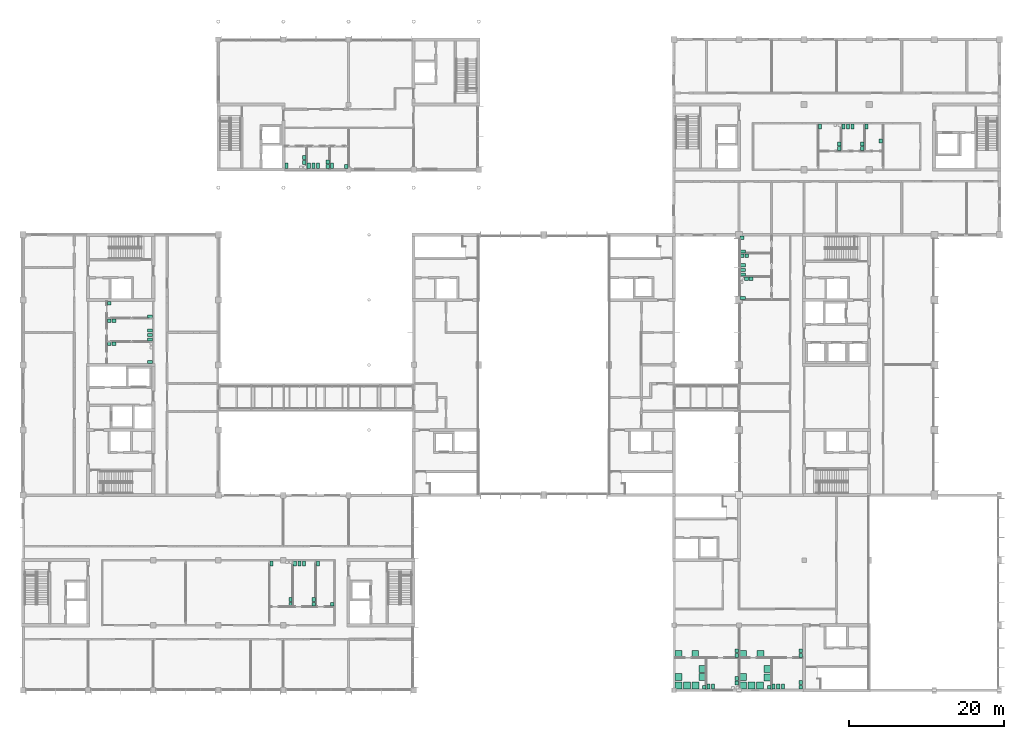
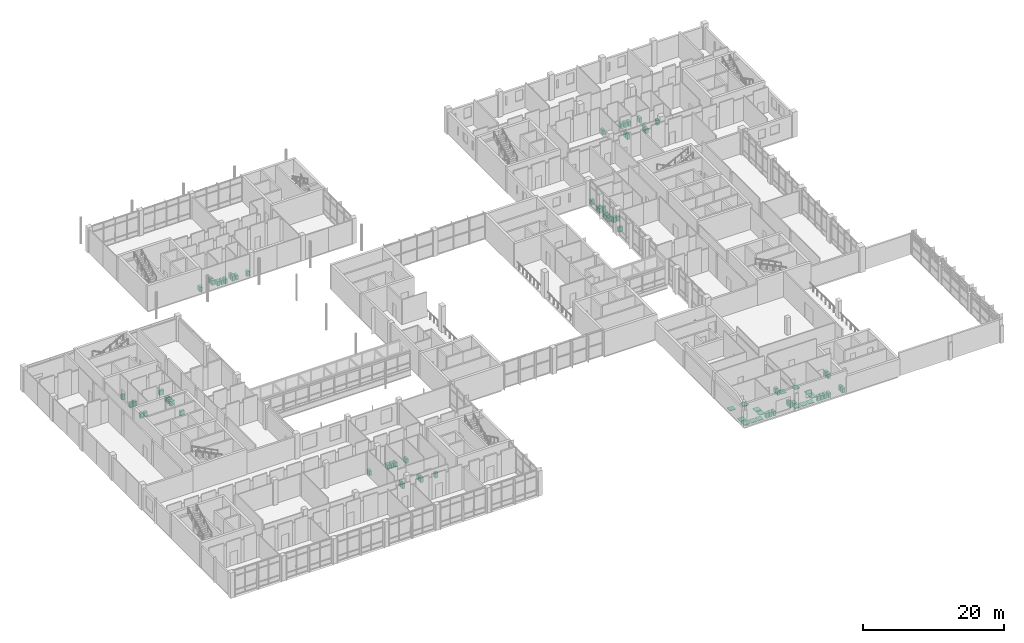
# One storey, part 69 of 70: 81 sanitary terminals.
"""IFC4 building model written with IfcOpenShell, lengths in metres."""

from ifc_helpers import new_model, si_unit, direction, frame, origin, origin_2d, place, context, subcontext, project, spatial, rectangle, extrude, element, save


model = new_model("IFC4")

# Units and contexts
model_context = context("Model", 3, precision=1e-05, world=origin(), true_north=direction((0.0, 1.0)))
body_context = subcontext(model_context, "Body", "Model", "MODEL_VIEW")
ifc_project = project(units=[si_unit("LENGTHUNIT", "METRE"), si_unit("AREAUNIT", "SQUARE_METRE"), si_unit("VOLUMEUNIT", "CUBIC_METRE"), si_unit("PLANEANGLEUNIT", "RADIAN"), si_unit("MASSUNIT", "GRAM", prefix="KILO")], contexts=[model_context])

# Site, building, storey
site_placement = place(None, origin())
site = spatial("IfcSite", under=ifc_project, at=site_placement, CompositionType="ELEMENT")
building_placement = place(site_placement, origin())
building = spatial("IfcBuilding", under=site, at=building_placement, Name="Hlaing Beacon Police Headquarters", CompositionType="ELEMENT")
storey_placement = place(building_placement, frame((0.0, 0.0, 5.39990234375)))
storey = spatial("IfcBuildingStorey", under=building, at=storey_placement, Name="L01", CompositionType="ELEMENT", Elevation=5.39990234375)

# Sanitary terminals
sanitary_terminal_1_placement = place(storey_placement, frame((48.262939453125, 76.10009765625, 0.0), z_axis=(0.0, 0.0, 1.0), x_axis=(1.0, 0.0, 0.0)))
element("IfcSanitaryTerminal", 1, at=sanitary_terminal_1_placement, inside=storey, Name="Water closet", PredefinedType="TOILETPAN", context=body_context, shape_type="SweptSolid", body=[
    extrude(rectangle(XDim=0.39990234375, YDim=0.699951171875, at=origin_2d()), origin(), (0.0, 0.0, 1.0), 0.800048828125),
])
sanitary_terminal_2_placement = place(storey_placement, frame((50.112060546875, 76.0, 0.0), z_axis=(0.0, 0.0, 1.0), x_axis=(1.0, 0.0, 0.0)))
element("IfcSanitaryTerminal", 2, at=sanitary_terminal_2_placement, inside=storey, Name="Wash basin", PredefinedType="WASHHANDBASIN", context=body_context, shape_type="SweptSolid", body=[
    extrude(rectangle(XDim=0.449951171875, YDim=0.5, at=origin_2d()), origin(), (0.0, 0.0, 1.0), 0.85009765625),
])
for number, where, z_axis, x_axis, name in (
    (3, (45.261962890625, 76.10009765625, 0.0), (0.0, 0.0, 1.0), (1.0, 0.0, 0.0), "Water closet"),
    (4, (45.863037109375, 76.10009765625, 0.0), (0.0, 0.0, 1.0), (1.0, 0.0, 0.0), "Water closet"),
    (5, (46.4619140625, 76.10009765625, 0.0), (0.0, 0.0, 1.0), (1.0, 0.0, 0.0), "Water closet"),
):
    element("IfcSanitaryTerminal", number, at=place(storey_placement, frame(where, z_axis=z_axis, x_axis=x_axis)), inside=storey, Name=name, PredefinedType="TOILETPAN", context=body_context, shape_type="SweptSolid", body=[
        extrude(rectangle(XDim=0.39990234375, YDim=0.699951171875, at=origin_2d()), origin(), (0.0, 0.0, 1.0), 0.800048828125),
    ])
for number, where, z_axis, x_axis, name in (
    (6, (47.712890625, 76.0, 0.0), (0.0, 0.0, 1.0), (1.0, 0.0, 0.0), "Wash basin"),
    (7, (47.712890625, 76.60009765625, 0.0), (0.0, 0.0, 1.0), (1.0, 0.0, 0.0), "Wash basin"),
):
    element("IfcSanitaryTerminal", number, at=place(storey_placement, frame(where, z_axis=z_axis, x_axis=x_axis)), inside=storey, Name=name, PredefinedType="WASHHANDBASIN", context=body_context, shape_type="SweptSolid", body=[
        extrude(rectangle(XDim=0.449951171875, YDim=0.5, at=origin_2d()), origin(), (0.0, 0.0, 1.0), 0.85009765625),
    ])
sanitary_terminal_3_placement = place(storey_placement, frame((42.39990234375, 76.10009765625, 0.0), z_axis=(0.0, 0.0, 1.0), x_axis=(1.0, 0.0, 0.0)))
element("IfcSanitaryTerminal", 8, at=sanitary_terminal_3_placement, inside=storey, Name="Water closet", PredefinedType="TOILETPAN", context=body_context, shape_type="SweptSolid", body=[
    extrude(rectangle(XDim=0.39990234375, YDim=0.699951171875, at=origin_2d()), origin(), (0.0, 0.0, 1.0), 0.800048828125),
])
for number, where, z_axis, x_axis, name in (
    (9, (44.712890625, 76.550048828125, 0.0), (0.0, 0.0, 1.0), (1.0, 0.0, 0.0), "Wash basin"),
    (10, (44.712890625, 77.14990234375, 0.0), (0.0, 0.0, 1.0), (1.0, 0.0, 0.0), "Wash basin"),
):
    element("IfcSanitaryTerminal", number, at=place(storey_placement, frame(where, z_axis=z_axis, x_axis=x_axis)), inside=storey, Name=name, PredefinedType="WASHHANDBASIN", context=body_context, shape_type="SweptSolid", body=[
        extrude(rectangle(XDim=0.449951171875, YDim=0.5, at=origin_2d()), origin(), (0.0, 0.0, 1.0), 0.85009765625),
    ])
for number, where, z_axis, x_axis, name in (
    (11, (101.31201171875, 13.113037109375, 0.0), (0.0, 0.0, 1.0), (1.0, 0.0, 0.0), "Shower tray"),
    (12, (103.56201171875, 13.113037109375, 0.0), (0.0, 0.0, 1.0), (1.0, 0.0, 0.0), "Shower tray"),
):
    element("IfcSanitaryTerminal", number, at=place(storey_placement, frame(where, z_axis=z_axis, x_axis=x_axis)), inside=storey, Name=name, PredefinedType="SHOWER", context=body_context, shape_type="SweptSolid", body=[
        extrude(rectangle(XDim=0.89990234375, YDim=0.89990234375, at=origin_2d()), origin(), (0.0, 0.0, 1.0), 0.10009765625),
    ])
for number, where, z_axis, x_axis, name in (
    (13, (108.77490234375, 12.912109375, 0.0), (0.0, 0.0, 1.0), (1.0, 0.0, 0.0), "Wash basin"),
    (14, (108.77490234375, 13.511962890625, 0.0), (0.0, 0.0, 1.0), (1.0, 0.0, 0.0), "Wash basin"),
):
    element("IfcSanitaryTerminal", number, at=place(storey_placement, frame(where, z_axis=z_axis, x_axis=x_axis)), inside=storey, Name=name, PredefinedType="WASHHANDBASIN", context=body_context, shape_type="SweptSolid", body=[
        extrude(rectangle(XDim=0.449951171875, YDim=0.5, at=origin_2d()), origin(), (0.0, 0.0, 1.0), 0.85009765625),
    ])
for number, where, z_axis, x_axis, name in (
    (15, (101.31201171875, 9.0, 0.0), (0.0, 0.0, 1.0), (1.0, 0.0, 0.0), "Shower tray"),
    (16, (102.412109375, 9.0, 0.0), (0.0, 0.0, 1.0), (1.0, 0.0, 0.0), "Shower tray"),
    (17, (103.511962890625, 9.0, 0.0), (0.0, 0.0, 1.0), (1.0, 0.0, 0.0), "Shower tray"),
    (18, (104.488037109375, 10.050048828125, 0.0), (0.0, 0.0, 1.0), (1.0, 0.0, 0.0), "Shower tray"),
    (19, (104.488037109375, 11.14990234375, 0.0), (0.0, 0.0, 1.0), (1.0, 0.0, 0.0), "Shower tray"),
    (20, (101.31201171875, 10.10009765625, 0.0), (0.0, 0.0, 1.0), (1.0, 0.0, 0.0), "Shower tray"),
):
    element("IfcSanitaryTerminal", number, at=place(storey_placement, frame(where, z_axis=z_axis, x_axis=x_axis)), inside=storey, Name=name, PredefinedType="SHOWER", context=body_context, shape_type="SweptSolid", body=[
        extrude(rectangle(XDim=0.89990234375, YDim=0.89990234375, at=origin_2d()), origin(), (0.0, 0.0, 1.0), 0.10009765625),
    ])
sanitary_terminal_4_placement = place(storey_placement, frame((104.712890625, 8.800048828125, 0.0), z_axis=(0.0, 0.0, 1.0), x_axis=(1.0, 0.0, 0.0)))
element("IfcSanitaryTerminal", 21, at=sanitary_terminal_4_placement, inside=storey, Name="Wash basin", PredefinedType="WASHHANDBASIN", context=body_context, shape_type="SweptSolid", body=[
    extrude(rectangle(XDim=0.449951171875, YDim=0.5, at=origin_2d()), origin(), (0.0, 0.0, 1.0), 0.85009765625),
])
for number, where, z_axis, x_axis, name in (
    (22, (105.262939453125, 8.89990234375, 0.0), (0.0, 0.0, 1.0), (1.0, 0.0, 0.0), "Water closet"),
    (23, (105.862060546875, 8.89990234375, 0.0), (0.0, 0.0, 1.0), (1.0, 0.0, 0.0), "Water closet"),
    (24, (106.462890625, 8.89990234375, 0.0), (0.0, 0.0, 1.0), (1.0, 0.0, 0.0), "Water closet"),
):
    element("IfcSanitaryTerminal", number, at=place(storey_placement, frame(where, z_axis=z_axis, x_axis=x_axis)), inside=storey, Name=name, PredefinedType="TOILETPAN", context=body_context, shape_type="SweptSolid", body=[
        extrude(rectangle(XDim=0.39990234375, YDim=0.699951171875, at=origin_2d()), origin(), (0.0, 0.0, 1.0), 0.800048828125),
    ])
for number, where, z_axis, x_axis, name in (
    (25, (108.77490234375, 8.800048828125, 0.0), (0.0, 0.0, 1.0), (1.0, 0.0, 0.0), "Wash basin"),
    (26, (108.77490234375, 9.39990234375, 0.0), (0.0, 0.0, 1.0), (1.0, 0.0, 0.0), "Wash basin"),
):
    element("IfcSanitaryTerminal", number, at=place(storey_placement, frame(where, z_axis=z_axis, x_axis=x_axis)), inside=storey, Name=name, PredefinedType="WASHHANDBASIN", context=body_context, shape_type="SweptSolid", body=[
        extrude(rectangle(XDim=0.449951171875, YDim=0.5, at=origin_2d()), origin(), (0.0, 0.0, 1.0), 0.85009765625),
    ])
for number, where, z_axis, x_axis, name in (
    (27, (93.0, 13.113037109375, 0.0), (0.0, 0.0, 1.0), (1.0, 0.0, 0.0), "Shower tray"),
    (28, (95.14990234375, 13.113037109375, 0.0), (0.0, 0.0, 1.0), (1.0, 0.0, 0.0), "Shower tray"),
):
    element("IfcSanitaryTerminal", number, at=place(storey_placement, frame(where, z_axis=z_axis, x_axis=x_axis)), inside=storey, Name=name, PredefinedType="SHOWER", context=body_context, shape_type="SweptSolid", body=[
        extrude(rectangle(XDim=0.89990234375, YDim=0.89990234375, at=origin_2d()), origin(), (0.0, 0.0, 1.0), 0.10009765625),
    ])
for number, where, z_axis, x_axis, name in (
    (29, (100.512939453125, 12.912109375, 0.0), (0.0, 0.0, 1.0), (1.0, 0.0, 0.0), "Wash basin"),
    (30, (100.512939453125, 13.511962890625, 0.0), (0.0, 0.0, 1.0), (1.0, 0.0, 0.0), "Wash basin"),
):
    element("IfcSanitaryTerminal", number, at=place(storey_placement, frame(where, z_axis=z_axis, x_axis=x_axis)), inside=storey, Name=name, PredefinedType="WASHHANDBASIN", context=body_context, shape_type="SweptSolid", body=[
        extrude(rectangle(XDim=0.449951171875, YDim=0.5, at=origin_2d()), origin(), (0.0, 0.0, 1.0), 0.85009765625),
    ])
for number, where, z_axis, x_axis, name in (
    (31, (93.0, 9.0, 0.0), (0.0, 0.0, 1.0), (1.0, 0.0, 0.0), "Shower tray"),
    (32, (94.10009765625, 9.0, 0.0), (0.0, 0.0, 1.0), (1.0, 0.0, 0.0), "Shower tray"),
    (33, (95.199951171875, 9.0, 0.0), (0.0, 0.0, 1.0), (1.0, 0.0, 0.0), "Shower tray"),
    (34, (96.0869140625, 10.10009765625, 0.0), (0.0, 0.0, 1.0), (1.0, 0.0, 0.0), "Shower tray"),
    (35, (96.0869140625, 11.14990234375, 0.0), (0.0, 0.0, 1.0), (1.0, 0.0, 0.0), "Shower tray"),
    (36, (93.0, 10.10009765625, 0.0), (0.0, 0.0, 1.0), (1.0, 0.0, 0.0), "Shower tray"),
):
    element("IfcSanitaryTerminal", number, at=place(storey_placement, frame(where, z_axis=z_axis, x_axis=x_axis)), inside=storey, Name=name, PredefinedType="SHOWER", context=body_context, shape_type="SweptSolid", body=[
        extrude(rectangle(XDim=0.89990234375, YDim=0.89990234375, at=origin_2d()), origin(), (0.0, 0.0, 1.0), 0.10009765625),
    ])
sanitary_terminal_5_placement = place(storey_placement, frame((96.31201171875, 8.800048828125, 0.0), z_axis=(0.0, 0.0, 1.0), x_axis=(1.0, 0.0, 0.0)))
element("IfcSanitaryTerminal", 37, at=sanitary_terminal_5_placement, inside=storey, Name="Wash basin", PredefinedType="WASHHANDBASIN", context=body_context, shape_type="SweptSolid", body=[
    extrude(rectangle(XDim=0.449951171875, YDim=0.5, at=origin_2d()), origin(), (0.0, 0.0, 1.0), 0.85009765625),
])
for number, where, z_axis, x_axis, name in (
    (38, (96.862060546875, 8.89990234375, 0.0), (0.0, 0.0, 1.0), (1.0, 0.0, 0.0), "Water closet"),
    (39, (97.4619140625, 8.89990234375, 0.0), (0.0, 0.0, 1.0), (1.0, 0.0, 0.0), "Water closet"),
):
    element("IfcSanitaryTerminal", number, at=place(storey_placement, frame(where, z_axis=z_axis, x_axis=x_axis)), inside=storey, Name=name, PredefinedType="TOILETPAN", context=body_context, shape_type="SweptSolid", body=[
        extrude(rectangle(XDim=0.39990234375, YDim=0.699951171875, at=origin_2d()), origin(), (0.0, 0.0, 1.0), 0.800048828125),
    ])
for number, where, z_axis, x_axis, name in (
    (40, (100.512939453125, 9.35009765625, 0.0), (0.0, 0.0, 1.0), (1.0, 0.0, 0.0), "Wash basin"),
    (41, (100.512939453125, 9.949951171875, 0.0), (0.0, 0.0, 1.0), (1.0, 0.0, 0.0), "Wash basin"),
):
    element("IfcSanitaryTerminal", number, at=place(storey_placement, frame(where, z_axis=z_axis, x_axis=x_axis)), inside=storey, Name=name, PredefinedType="WASHHANDBASIN", context=body_context, shape_type="SweptSolid", body=[
        extrude(rectangle(XDim=0.449951171875, YDim=0.5, at=origin_2d()), origin(), (0.0, 0.0, 1.0), 0.85009765625),
    ])
sanitary_terminal_6_placement = place(storey_placement, frame((46.462890625, 24.77490234375, 0.0), z_axis=(0.0, 0.0, 1.0), x_axis=(1.0, 0.0, 0.0)))
element("IfcSanitaryTerminal", 42, at=sanitary_terminal_6_placement, inside=storey, Name="Water closet", PredefinedType="TOILETPAN", context=body_context, shape_type="SweptSolid", body=[
    extrude(rectangle(XDim=0.39990234375, YDim=0.699951171875, at=origin_2d()), origin(), (0.0, 0.0, 1.0), 0.800048828125),
])
sanitary_terminal_7_placement = place(storey_placement, frame((48.300048828125, 19.511962890625, 0.0), z_axis=(0.0, 0.0, 1.0), x_axis=(1.0, 0.0, 0.0)))
element("IfcSanitaryTerminal", 43, at=sanitary_terminal_7_placement, inside=storey, Name="Wash basin", PredefinedType="WASHHANDBASIN", context=body_context, shape_type="SweptSolid", body=[
    extrude(rectangle(XDim=0.449951171875, YDim=0.5, at=origin_2d()), origin(), (0.0, 0.0, 1.0), 0.85009765625),
])
for number, where, z_axis, x_axis, name in (
    (44, (43.462890625, 24.77490234375, 0.0), (0.0, 0.0, 1.0), (1.0, 0.0, 0.0), "Water closet"),
    (45, (44.06201171875, 24.77490234375, 0.0), (0.0, 0.0, 1.0), (1.0, 0.0, 0.0), "Water closet"),
    (46, (44.6630859375, 24.77490234375, 0.0), (0.0, 0.0, 1.0), (1.0, 0.0, 0.0), "Water closet"),
):
    element("IfcSanitaryTerminal", number, at=place(storey_placement, frame(where, z_axis=z_axis, x_axis=x_axis)), inside=storey, Name=name, PredefinedType="TOILETPAN", context=body_context, shape_type="SweptSolid", body=[
        extrude(rectangle(XDim=0.39990234375, YDim=0.699951171875, at=origin_2d()), origin(), (0.0, 0.0, 1.0), 0.800048828125),
    ])
for number, where, z_axis, x_axis, name in (
    (47, (45.912109375, 19.511962890625, 0.0), (0.0, 0.0, 1.0), (1.0, 0.0, 0.0), "Wash basin"),
    (48, (45.912109375, 20.113037109375, 0.0), (0.0, 0.0, 1.0), (1.0, 0.0, 0.0), "Wash basin"),
):
    element("IfcSanitaryTerminal", number, at=place(storey_placement, frame(where, z_axis=z_axis, x_axis=x_axis)), inside=storey, Name=name, PredefinedType="WASHHANDBASIN", context=body_context, shape_type="SweptSolid", body=[
        extrude(rectangle(XDim=0.449951171875, YDim=0.5, at=origin_2d()), origin(), (0.0, 0.0, 1.0), 0.85009765625),
    ])
sanitary_terminal_8_placement = place(storey_placement, frame((40.462890625, 24.77490234375, 0.0), z_axis=(0.0, 0.0, 1.0), x_axis=(1.0, 0.0, 0.0)))
element("IfcSanitaryTerminal", 49, at=sanitary_terminal_8_placement, inside=storey, Name="Water closet", PredefinedType="TOILETPAN", context=body_context, shape_type="SweptSolid", body=[
    extrude(rectangle(XDim=0.39990234375, YDim=0.699951171875, at=origin_2d()), origin(), (0.0, 0.0, 1.0), 0.800048828125),
])
for number, where, z_axis, x_axis, name in (
    (50, (42.912109375, 19.511962890625, 0.0), (0.0, 0.0, 1.0), (1.0, 0.0, 0.0), "Wash basin"),
    (51, (42.912109375, 20.113037109375, 0.0), (0.0, 0.0, 1.0), (1.0, 0.0, 0.0), "Wash basin"),
):
    element("IfcSanitaryTerminal", number, at=place(storey_placement, frame(where, z_axis=z_axis, x_axis=x_axis)), inside=storey, Name=name, PredefinedType="WASHHANDBASIN", context=body_context, shape_type="SweptSolid", body=[
        extrude(rectangle(XDim=0.449951171875, YDim=0.5, at=origin_2d()), origin(), (0.0, 0.0, 1.0), 0.85009765625),
    ])
sanitary_terminal_9_placement = place(storey_placement, frame((101.300048828125, 65.06201171875, 0.0), z_axis=(0.0, 0.0, 1.0), x_axis=(1.0, 0.0, 0.0)))
element("IfcSanitaryTerminal", 52, at=sanitary_terminal_9_placement, inside=storey, Name="Water closet", PredefinedType="TOILETPAN", context=body_context, shape_type="SweptSolid", body=[
    extrude(rectangle(XDim=0.699951171875, YDim=0.39990234375, at=origin_2d()), origin(), (0.0, 0.0, 1.0), 0.800048828125),
])
sanitary_terminal_10_placement = place(storey_placement, frame((101.199951171875, 66.824951171875, 0.0), z_axis=(0.0, 0.0, 1.0), x_axis=(1.0, 0.0, 0.0)))
element("IfcSanitaryTerminal", 53, at=sanitary_terminal_10_placement, inside=storey, Name="Wash basin", PredefinedType="WASHHANDBASIN", context=body_context, shape_type="SweptSolid", body=[
    extrude(rectangle(XDim=0.5, YDim=0.449951171875, at=origin_2d()), origin(), (0.0, 0.0, 1.0), 0.85009765625),
])
for number, where, z_axis, x_axis, name in (
    (54, (101.300048828125, 62.06298828125, 0.0), (0.0, 0.0, 1.0), (1.0, 0.0, 0.0), "Water closet"),
    (55, (101.300048828125, 62.662109375, 0.0), (0.0, 0.0, 1.0), (1.0, 0.0, 0.0), "Water closet"),
    (56, (101.300048828125, 63.262939453125, 0.0), (0.0, 0.0, 1.0), (1.0, 0.0, 0.0), "Water closet"),
):
    element("IfcSanitaryTerminal", number, at=place(storey_placement, frame(where, z_axis=z_axis, x_axis=x_axis)), inside=storey, Name=name, PredefinedType="TOILETPAN", context=body_context, shape_type="SweptSolid", body=[
        extrude(rectangle(XDim=0.699951171875, YDim=0.39990234375, at=origin_2d()), origin(), (0.0, 0.0, 1.0), 0.800048828125),
    ])
for number, where, z_axis, x_axis, name in (
    (57, (101.199951171875, 64.512939453125, 0.0), (0.0, 0.0, 1.0), (1.0, 0.0, 0.0), "Wash basin"),
    (58, (101.800048828125, 64.512939453125, 0.0), (0.0, 0.0, 1.0), (1.0, 0.0, 0.0), "Wash basin"),
):
    element("IfcSanitaryTerminal", number, at=place(storey_placement, frame(where, z_axis=z_axis, x_axis=x_axis)), inside=storey, Name=name, PredefinedType="WASHHANDBASIN", context=body_context, shape_type="SweptSolid", body=[
        extrude(rectangle(XDim=0.5, YDim=0.449951171875, at=origin_2d()), origin(), (0.0, 0.0, 1.0), 0.85009765625),
    ])
sanitary_terminal_11_placement = place(storey_placement, frame((101.300048828125, 59.06201171875, 0.0), z_axis=(0.0, 0.0, 1.0), x_axis=(1.0, 0.0, 0.0)))
element("IfcSanitaryTerminal", 59, at=sanitary_terminal_11_placement, inside=storey, Name="Water closet", PredefinedType="TOILETPAN", context=body_context, shape_type="SweptSolid", body=[
    extrude(rectangle(XDim=0.699951171875, YDim=0.39990234375, at=origin_2d()), origin(), (0.0, 0.0, 1.0), 0.800048828125),
])
for number, where, z_axis, x_axis, name in (
    (60, (101.75, 61.511962890625, 0.0), (0.0, 0.0, 1.0), (1.0, 0.0, 0.0), "Wash basin"),
    (61, (102.35009765625, 61.511962890625, 0.0), (0.0, 0.0, 1.0), (1.0, 0.0, 0.0), "Wash basin"),
):
    element("IfcSanitaryTerminal", number, at=place(storey_placement, frame(where, z_axis=z_axis, x_axis=x_axis)), inside=storey, Name=name, PredefinedType="WASHHANDBASIN", context=body_context, shape_type="SweptSolid", body=[
        extrude(rectangle(XDim=0.5, YDim=0.449951171875, at=origin_2d()), origin(), (0.0, 0.0, 1.0), 0.85009765625),
    ])
sanitary_terminal_12_placement = place(storey_placement, frame((24.77490234375, 56.6630859375, 0.0), z_axis=(0.0, 0.0, 1.0), x_axis=(1.0, 0.0, 0.0)))
element("IfcSanitaryTerminal", 62, at=sanitary_terminal_12_placement, inside=storey, Name="Water closet", PredefinedType="TOILETPAN", context=body_context, shape_type="SweptSolid", body=[
    extrude(rectangle(XDim=0.699951171875, YDim=0.39990234375, at=origin_2d()), origin(), (0.0, 0.0, 1.0), 0.800048828125),
])
sanitary_terminal_13_placement = place(storey_placement, frame((19.511962890625, 58.375, 0.0), z_axis=(0.0, 0.0, 1.0), x_axis=(1.0, 0.0, 0.0)))
element("IfcSanitaryTerminal", 63, at=sanitary_terminal_13_placement, inside=storey, Name="Wash basin", PredefinedType="WASHHANDBASIN", context=body_context, shape_type="SweptSolid", body=[
    extrude(rectangle(XDim=0.5, YDim=0.449951171875, at=origin_2d()), origin(), (0.0, 0.0, 1.0), 0.85009765625),
])
for number, where, z_axis, x_axis, name in (
    (64, (24.77490234375, 53.6630859375, 0.0), (0.0, 0.0, 1.0), (1.0, 0.0, 0.0), "Water closet"),
    (65, (24.77490234375, 54.261962890625, 0.0), (0.0, 0.0, 1.0), (1.0, 0.0, 0.0), "Water closet"),
    (66, (24.77490234375, 54.863037109375, 0.0), (0.0, 0.0, 1.0), (1.0, 0.0, 0.0), "Water closet"),
):
    element("IfcSanitaryTerminal", number, at=place(storey_placement, frame(where, z_axis=z_axis, x_axis=x_axis)), inside=storey, Name=name, PredefinedType="TOILETPAN", context=body_context, shape_type="SweptSolid", body=[
        extrude(rectangle(XDim=0.699951171875, YDim=0.39990234375, at=origin_2d()), origin(), (0.0, 0.0, 1.0), 0.800048828125),
    ])
for number, where, z_axis, x_axis, name in (
    (67, (19.511962890625, 56.112060546875, 0.0), (0.0, 0.0, 1.0), (1.0, 0.0, 0.0), "Wash basin"),
    (68, (20.113037109375, 56.112060546875, 0.0), (0.0, 0.0, 1.0), (1.0, 0.0, 0.0), "Wash basin"),
):
    element("IfcSanitaryTerminal", number, at=place(storey_placement, frame(where, z_axis=z_axis, x_axis=x_axis)), inside=storey, Name=name, PredefinedType="WASHHANDBASIN", context=body_context, shape_type="SweptSolid", body=[
        extrude(rectangle(XDim=0.5, YDim=0.449951171875, at=origin_2d()), origin(), (0.0, 0.0, 1.0), 0.85009765625),
    ])
sanitary_terminal_14_placement = place(storey_placement, frame((24.77490234375, 50.800048828125, 0.0), z_axis=(0.0, 0.0, 1.0), x_axis=(1.0, 0.0, 0.0)))
element("IfcSanitaryTerminal", 69, at=sanitary_terminal_14_placement, inside=storey, Name="Water closet", PredefinedType="TOILETPAN", context=body_context, shape_type="SweptSolid", body=[
    extrude(rectangle(XDim=0.699951171875, YDim=0.39990234375, at=origin_2d()), origin(), (0.0, 0.0, 1.0), 0.800048828125),
])
for number, where, z_axis, x_axis, name in (
    (70, (19.511962890625, 53.112060546875, 0.0), (0.0, 0.0, 1.0), (1.0, 0.0, 0.0), "Wash basin"),
    (71, (20.113037109375, 53.112060546875, 0.0), (0.0, 0.0, 1.0), (1.0, 0.0, 0.0), "Wash basin"),
):
    element("IfcSanitaryTerminal", number, at=place(storey_placement, frame(where, z_axis=z_axis, x_axis=x_axis)), inside=storey, Name=name, PredefinedType="WASHHANDBASIN", context=body_context, shape_type="SweptSolid", body=[
        extrude(rectangle(XDim=0.5, YDim=0.449951171875, at=origin_2d()), origin(), (0.0, 0.0, 1.0), 0.85009765625),
    ])
sanitary_terminal_15_placement = place(storey_placement, frame((117.262939453125, 81.175048828125, 0.0), z_axis=(0.0, 0.0, 1.0), x_axis=(1.0, 0.0, 0.0)))
element("IfcSanitaryTerminal", 72, at=sanitary_terminal_15_placement, inside=storey, Name="Water closet", PredefinedType="TOILETPAN", context=body_context, shape_type="SweptSolid", body=[
    extrude(rectangle(XDim=0.39990234375, YDim=0.699951171875, at=origin_2d()), origin(), (0.0, 0.0, 1.0), 0.800048828125),
])
sanitary_terminal_16_placement = place(storey_placement, frame((119.113037109375, 79.31201171875, 0.0), z_axis=(0.0, 0.0, 1.0), x_axis=(1.0, 0.0, 0.0)))
element("IfcSanitaryTerminal", 73, at=sanitary_terminal_16_placement, inside=storey, Name="Wash basin", PredefinedType="WASHHANDBASIN", context=body_context, shape_type="SweptSolid", body=[
    extrude(rectangle(XDim=0.449951171875, YDim=0.5, at=origin_2d()), origin(), (0.0, 0.0, 1.0), 0.85009765625),
])
for number, where, z_axis, x_axis, name in (
    (74, (114.262939453125, 81.175048828125, 0.0), (0.0, 0.0, 1.0), (1.0, 0.0, 0.0), "Water closet"),
    (75, (114.862060546875, 81.175048828125, 0.0), (0.0, 0.0, 1.0), (1.0, 0.0, 0.0), "Water closet"),
    (76, (115.462890625, 81.175048828125, 0.0), (0.0, 0.0, 1.0), (1.0, 0.0, 0.0), "Water closet"),
):
    element("IfcSanitaryTerminal", number, at=place(storey_placement, frame(where, z_axis=z_axis, x_axis=x_axis)), inside=storey, Name=name, PredefinedType="TOILETPAN", context=body_context, shape_type="SweptSolid", body=[
        extrude(rectangle(XDim=0.39990234375, YDim=0.699951171875, at=origin_2d()), origin(), (0.0, 0.0, 1.0), 0.800048828125),
    ])
for number, where, z_axis, x_axis, name in (
    (77, (116.712890625, 78.31201171875, 0.0), (0.0, 0.0, 1.0), (1.0, 0.0, 0.0), "Wash basin"),
    (78, (116.712890625, 78.912109375, 0.0), (0.0, 0.0, 1.0), (1.0, 0.0, 0.0), "Wash basin"),
):
    element("IfcSanitaryTerminal", number, at=place(storey_placement, frame(where, z_axis=z_axis, x_axis=x_axis)), inside=storey, Name=name, PredefinedType="WASHHANDBASIN", context=body_context, shape_type="SweptSolid", body=[
        extrude(rectangle(XDim=0.449951171875, YDim=0.5, at=origin_2d()), origin(), (0.0, 0.0, 1.0), 0.85009765625),
    ])
sanitary_terminal_17_placement = place(storey_placement, frame((111.261962890625, 81.175048828125, 0.0), z_axis=(0.0, 0.0, 1.0), x_axis=(1.0, 0.0, 0.0)))
element("IfcSanitaryTerminal", 79, at=sanitary_terminal_17_placement, inside=storey, Name="Water closet", PredefinedType="TOILETPAN", context=body_context, shape_type="SweptSolid", body=[
    extrude(rectangle(XDim=0.39990234375, YDim=0.699951171875, at=origin_2d()), origin(), (0.0, 0.0, 1.0), 0.800048828125),
])
for number, where, z_axis, x_axis, name in (
    (80, (113.7119140625, 78.31201171875, 0.0), (0.0, 0.0, 1.0), (1.0, 0.0, 0.0), "Wash basin"),
    (81, (113.7119140625, 78.912109375, 0.0), (0.0, 0.0, 1.0), (1.0, 0.0, 0.0), "Wash basin"),
):
    element("IfcSanitaryTerminal", number, at=place(storey_placement, frame(where, z_axis=z_axis, x_axis=x_axis)), inside=storey, Name=name, PredefinedType="WASHHANDBASIN", context=body_context, shape_type="SweptSolid", body=[
        extrude(rectangle(XDim=0.449951171875, YDim=0.5, at=origin_2d()), origin(), (0.0, 0.0, 1.0), 0.85009765625),
    ])

save(model, "model.ifc")
